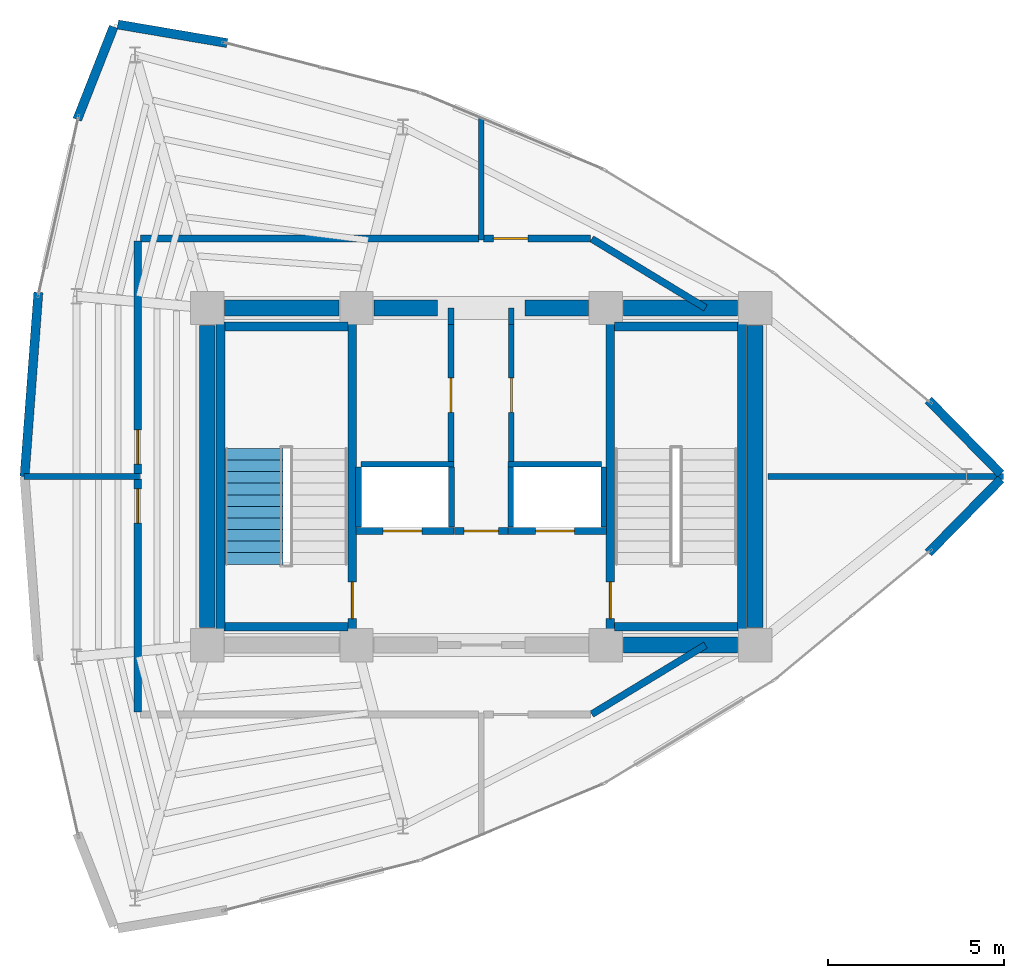
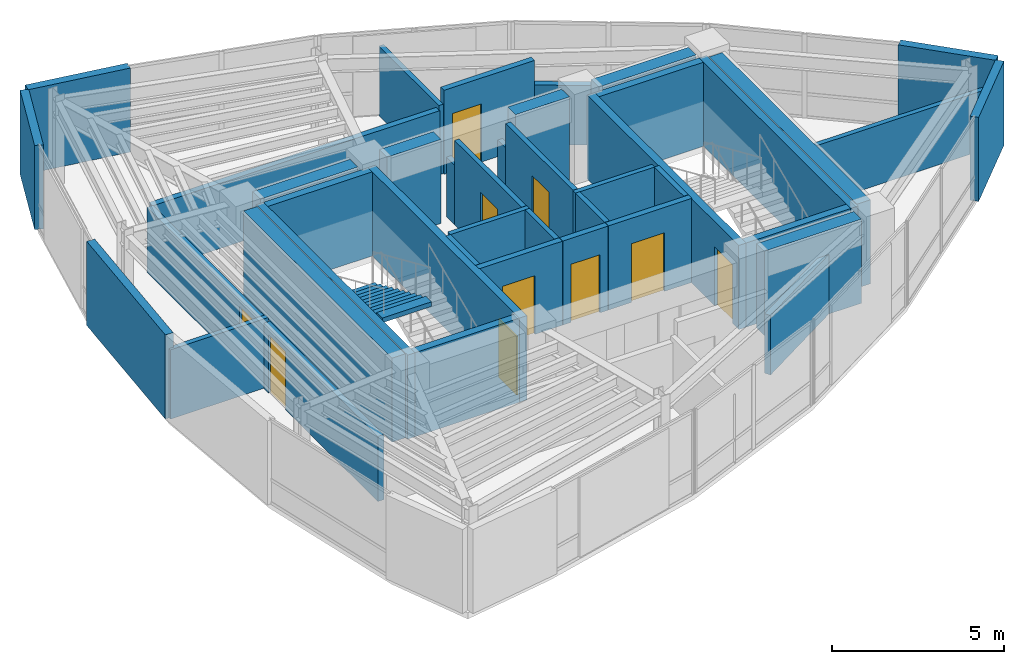
# One storey, part 12 of 14: 42 walls, 10 doors, 1 stair flight, 10 openings, 1 element without a shape of its own.
"""IFC4 building model written with IfcOpenShell, lengths in metres."""

import ifcopenshell
import ifcopenshell.guid

model = None  # the IFC model being written
_history = None  # IfcOwnerHistory: only IFC2X3 demands one
_inside = {}  # id of a spatial element -> (the spatial element, [elements in it])
_under = {}  # id of a project, library or spatial element -> (it, [spatial elements below it])
_declared = {}  # id of a project -> (the project, [libraries it declares])
_typed = {}  # id of a type object -> (the type object, [elements of that type])
_made_of = {}  # id of a material, layer set ... -> (it, [elements and type objects made of it])


def new_model(schema):
    """Start an empty IFC model of exactly this schema.

    Asked for "IFC4X3", IfcOpenShell would pick the latest addendum, in which some entities
    have other attributes; the version numbers below select the first issue.
    IFC2X3 requires an IfcOwnerHistory on every rooted entity: one is made here for all.
    """
    global model, _history
    if schema == "IFC4X3":
        model = ifcopenshell.file(schema_version=(4, 3, 0, 0))
    else:
        model = ifcopenshell.file(schema=schema)
    _inside.clear()
    _under.clear()
    _declared.clear()
    _typed.clear()
    _made_of.clear()
    _history = None
    if model.schema == "IFC2X3":
        org = make("IfcOrganization", Name="unknown")
        user = make(
            "IfcPersonAndOrganization",
            ThePerson=make("IfcPerson", FamilyName="unknown"),
            TheOrganization=org,
        )
        app = make(
            "IfcApplication",
            ApplicationDeveloper=org,
            Version="unknown",
            ApplicationFullName="unknown",
            ApplicationIdentifier="unknown",
        )
        _history = make(
            "IfcOwnerHistory",
            OwningUser=user,
            OwningApplication=app,
            ChangeAction="ADDED",
            CreationDate=0,
        )
    return model


def make(cls, **values):
    """One entity of the class cls with the attributes given. An attribute that is None is left unset."""
    return model.create_entity(
        cls, **{name: value for name, value in values.items() if value is not None}
    )


def rooted(cls, **values):
    """An entity with a GlobalId (a new one), such as an element, a storey or a relation."""
    return make(cls, GlobalId=ifcopenshell.guid.new(), OwnerHistory=_history, **values)


def si_unit(unit_type, name, prefix=None):
    """IfcSIUnit, for example si_unit("LENGTHUNIT", "METRE", prefix="MILLI")."""
    return make("IfcSIUnit", UnitType=unit_type, Prefix=prefix, Name=name)


def assignment(units):
    """IfcUnitAssignment: the units of a project."""
    return None if units is None else make("IfcUnitAssignment", Units=units)


def point(xyz):
    """IfcCartesianPoint."""
    return None if xyz is None else make("IfcCartesianPoint", Coordinates=xyz)


def direction(xyz):
    """IfcDirection."""
    return None if xyz is None else make("IfcDirection", DirectionRatios=xyz)


def frame(location, z_axis=None, x_axis=None):
    """IfcAxis2Placement3D, a coordinate frame: its origin and axes. An axis left out is left unset."""
    return make(
        "IfcAxis2Placement3D",
        Location=point(location),
        Axis=direction(z_axis),
        RefDirection=direction(x_axis),
    )


def frame_2d(location, x_axis=None):
    """IfcAxis2Placement2D, a coordinate frame in the plane: its origin and x axis."""
    return make(
        "IfcAxis2Placement2D", Location=point(location), RefDirection=direction(x_axis)
    )


def origin():
    """The frame at (0, 0, 0) with its axes left unset."""
    return frame((0.0, 0.0, 0.0))


def place(relative_to, where):
    """IfcLocalPlacement: puts the frame where relative to a parent placement (None: the world)."""
    return make(
        "IfcLocalPlacement", PlacementRelTo=relative_to, RelativePlacement=where
    )


def context(
    kind, dimensions, precision=None, world=None, true_north=None, identifier=None
):
    """IfcGeometricRepresentationContext, for example the 3D "Model" context."""
    return make(
        "IfcGeometricRepresentationContext",
        ContextIdentifier=identifier,
        ContextType=kind,
        CoordinateSpaceDimension=dimensions,
        Precision=precision,
        WorldCoordinateSystem=world,
        TrueNorth=true_north,
    )


def subcontext(parent, identifier, kind, view, scale=None):
    """IfcGeometricRepresentationSubContext, for example "Body" below "Model"."""
    return make(
        "IfcGeometricRepresentationSubContext",
        ContextIdentifier=identifier,
        ContextType=kind,
        ParentContext=parent,
        TargetScale=scale,
        TargetView=view,
    )


def project(units=None, contexts=None):
    """IfcProject with its units and contexts."""
    return rooted(
        "IfcProject",
        Name="project",
        RepresentationContexts=contexts,
        UnitsInContext=assignment(units),
    )


def spatial(cls, under=None, at=None, **own):
    """A site, building, storey or space (cls), placed at a placement, below another one or the project."""
    s = rooted(cls, ObjectPlacement=at, **own)
    if under is not None:
        _under.setdefault(under.id(), (under, []))[1].append(s)
    return s


def polyline(points):
    """IfcPolyline through the points."""
    return make("IfcPolyline", Points=[point(p) for p in points])


def profile(cls, at=None, kind="AREA", **sizes):
    """A parametric profile (cls). Its sizes go by their IFC names, for example OverallWidth=200.0."""
    return make(cls, ProfileType=kind, Position=at, **sizes)


def rectangle(**sizes):
    """IfcRectangleProfileDef."""
    return profile("IfcRectangleProfileDef", **sizes)


def outline(outer, holes=None, kind="AREA"):
    """IfcArbitraryClosedProfileDef: a profile drawn as a closed curve; with holes, ...WithVoids."""
    if holes is None:
        return make("IfcArbitraryClosedProfileDef", ProfileType=kind, OuterCurve=outer)
    return make(
        "IfcArbitraryProfileDefWithVoids",
        ProfileType=kind,
        OuterCurve=outer,
        InnerCurves=holes,
    )


def extrude(swept, where, along, depth):
    """IfcExtrudedAreaSolid: the profile swept, set in the frame where, extruded along a direction by depth."""
    return make(
        "IfcExtrudedAreaSolid",
        SweptArea=swept,
        Position=where,
        ExtrudedDirection=direction(along),
        Depth=depth,
    )


def shape(context_of_items, identifier, shape_type, items):
    """IfcShapeRepresentation: the items that make up one representation, for example the "Body"."""
    return make(
        "IfcShapeRepresentation",
        ContextOfItems=context_of_items,
        RepresentationIdentifier=identifier,
        RepresentationType=shape_type,
        Items=items,
    )


def material(Name=None, Category=None):
    """IfcMaterial."""
    return make("IfcMaterial", Name=Name, Category=Category)


def layer(
    of_material, thickness, ventilated=None, Name=None, Category=None, Priority=None
):
    """IfcMaterialLayer: one layer of a wall or slab, of a material (None: an air gap)."""
    return make(
        "IfcMaterialLayer",
        Material=of_material,
        LayerThickness=thickness,
        IsVentilated=ventilated,
        Name=Name,
        Category=Category,
        Priority=Priority,
    )


def layer_set(layers, Name=None):
    """IfcMaterialLayerSet."""
    return make("IfcMaterialLayerSet", MaterialLayers=layers, LayerSetName=Name)


def made_of(thing, what):
    """Note that an element or type object is made of a material, layer set ...; save() writes the relation."""
    if what is not None:
        _made_of.setdefault(what.id(), (what, []))[1].append(thing)
    return thing


def type_object(cls, material=None, **own):
    """A type object (cls), such as IfcWallType, which elements share."""
    return made_of(rooted(cls, **own), material)


def element(
    cls,
    number,
    at=None,
    inside=None,
    cuts=None,
    type_object=None,
    material=None,
    context=None,
    identifier="Body",
    shape_type=None,
    held_by="IfcProductDefinitionShape",
    body=None,
    shapes=None,
    **own,
):
    """One element of the class cls, such as IfcWall. Its Tag is "e" and its number.

    at: its placement. inside: the storey or other place that contains it. cuts: it is an
    opening in that element (IfcRelVoidsElement). A single representation is given by context,
    identifier, shape_type and body (its items); several are given by shapes. held_by: the class
    of the entity that holds the representations. save() writes the other relations.
    """
    e = rooted(cls, Tag="e%d" % number, ObjectPlacement=at, **own)
    if body is not None:
        shapes = [shape(context, identifier, shape_type, body)]
    if shapes is not None:
        e.Representation = make(held_by, Representations=shapes)
    if inside is not None:
        _inside.setdefault(inside.id(), (inside, []))[1].append(e)
    if cuts is not None:
        rooted(
            "IfcRelVoidsElement", RelatingBuildingElement=cuts, RelatedOpeningElement=e
        )
    if type_object is not None:
        _typed.setdefault(type_object.id(), (type_object, []))[1].append(e)
    return made_of(e, material)


def fill(opening, filler):
    """IfcRelFillsElement: the door or window that sits in an opening."""
    return rooted(
        "IfcRelFillsElement",
        RelatingOpeningElement=opening,
        RelatedBuildingElement=filler,
    )


def aggregate(whole, parts):
    """IfcRelAggregates: a whole, such as a stair, and the parts it consists of."""
    return rooted("IfcRelAggregates", RelatingObject=whole, RelatedObjects=parts)


def save(model, path):
    """Write the relations noted so far, then the file.

    IfcRelAggregates (storeys below a building ...), IfcRelContainedInSpatialStructure (elements
    in a storey), IfcRelDefinesByType, IfcRelAssociatesMaterial and IfcRelDeclares: one each for
    every whole, place, type object, material and project.
    """
    for whole, parts in _under.values():
        aggregate(whole, parts)
    for where, things in _inside.values():
        rooted(
            "IfcRelContainedInSpatialStructure",
            RelatedElements=things,
            RelatingStructure=where,
        )
    for kind, things in _typed.values():
        rooted("IfcRelDefinesByType", RelatedObjects=things, RelatingType=kind)
    for what, things in _made_of.values():
        rooted("IfcRelAssociatesMaterial", RelatedObjects=things, RelatingMaterial=what)
    for by, libraries in _declared.values():
        rooted("IfcRelDeclares", RelatingContext=by, RelatedDefinitions=libraries)
    model.write(path)


model = new_model("IFC4")

# Units and contexts
model_context = context("Model", 3, precision=1e-05, world=origin(), true_north=direction((0.0, 1.0)))
body_context = subcontext(model_context, "Body", "Model", "MODEL_VIEW")
ifc_project = project(units=[si_unit("LENGTHUNIT", "METRE"), si_unit("AREAUNIT", "SQUARE_METRE"), si_unit("VOLUMEUNIT", "CUBIC_METRE"), si_unit("PLANEANGLEUNIT", "RADIAN"), si_unit("MASSUNIT", "GRAM", prefix="KILO")], contexts=[model_context])

# Site, building, storey
site_placement = place(None, origin())
site = spatial("IfcSite", under=ifc_project, at=site_placement, CompositionType="ELEMENT")
building_placement = place(site_placement, origin())
building = spatial("IfcBuilding", under=site, at=building_placement, Name="Menara Vayukalpa", CompositionType="ELEMENT")
storey_placement = place(building_placement, frame((0.0, 0.0, 302.419921875)))
storey = spatial("IfcBuildingStorey", under=building, at=storey_placement, Name="L77", CompositionType="ELEMENT", Elevation=302.419921875)

# Walls
ifc_material_1 = material(Name="Concrete C50/60", Category="concrete")
ifc_layer_1 = layer(ifc_material_1, 0.449951171875)
ifc_layer_set_1 = layer_set([ifc_layer_1], Name="Concrete C50/60")
wall_type_1 = type_object("IfcWallType", Name="WAL-CW450", PredefinedType="SHEAR", material=ifc_layer_set_1)
for number, where, z_axis, x_axis, name in (
    (1, (29.64501953125, 17.199951171875, 0.0), (0.0, 0.0, 1.0), (1.0, 0.0, 0.0), "L77 Buttressed Core Shear Wall CWS4"),
    (2, (18.294921875, 26.800048828125, 0.0), (0.0, 0.0, 1.0), (1.0, 0.0, 0.0), "L77 Buttressed Core Shear Wall CWN1"),
):
    element("IfcWall", number, at=place(storey_placement, frame(where, z_axis=z_axis, x_axis=x_axis)), inside=storey, type_object=wall_type_1, Name=name, PredefinedType="SHEAR", context=body_context, shape_type="SweptSolid", body=[
        extrude(rectangle(XDim=3.260009765625, YDim=0.449951171875, at=frame_2d((1.6298828125, 0.0))), origin(), (0.0, 0.0, 1.0), 2.97998046875),
    ])
wall_1_placement = place(storey_placement, frame((22.544921875, 26.800048828125, 0.0), z_axis=(0.0, 0.0, 1.0), x_axis=(1.0, 0.0, 0.0)))
element("IfcWall", 3, at=wall_1_placement, inside=storey, type_object=wall_type_1, Name="L77 Buttressed Core Shear Wall CWN2", PredefinedType="SHEAR", context=body_context, shape_type="SweptSolid", body=[
    extrude(rectangle(XDim=1.80517578125, YDim=0.449951171875, at=frame_2d((0.902587890625, 0.0))), origin(), (0.0, 0.0, 1.0), 2.97998046875),
])
wall_2_placement = place(storey_placement, frame((26.85009765625, 26.800048828125, 0.0), z_axis=(0.0, 0.0, 1.0), x_axis=(1.0, 0.0, 0.0)))
element("IfcWall", 4, at=wall_2_placement, inside=storey, type_object=wall_type_1, Name="L77 Buttressed Core Shear Wall CWN3", PredefinedType="SHEAR", context=body_context, shape_type="SweptSolid", body=[
    extrude(rectangle(XDim=1.804931640625, YDim=0.449951171875, at=frame_2d((0.90234375, 0.0))), origin(), (0.0, 0.0, 1.0), 2.97998046875),
])
wall_3_placement = place(storey_placement, frame((29.64501953125, 26.800048828125, 0.0), z_axis=(0.0, 0.0, 1.0), x_axis=(1.0, 0.0, 0.0)))
element("IfcWall", 5, at=wall_3_placement, inside=storey, type_object=wall_type_1, Name="L77 Buttressed Core Shear Wall CWN4", PredefinedType="SHEAR", context=body_context, shape_type="SweptSolid", body=[
    extrude(rectangle(XDim=3.260009765625, YDim=0.449951171875, at=frame_2d((1.6298828125, 0.0))), origin(), (0.0, 0.0, 1.0), 2.97998046875),
])
for number, where, z_axis, x_axis, name in (
    (6, (17.800048828125, 17.695068359375, 0.0), (0.0, 0.0, 1.0), (0.0, 1.0, 0.0), "L77 Buttressed Core Shear Wall CWW1"),
    (7, (33.39990234375, 17.695068359375, 0.0), (0.0, 0.0, 1.0), (0.0, 1.0, 0.0), "L77 Buttressed Core Shear Wall CWE1"),
):
    element("IfcWall", number, at=place(storey_placement, frame(where, z_axis=z_axis, x_axis=x_axis)), inside=storey, type_object=wall_type_1, Name=name, PredefinedType="SHEAR", context=body_context, shape_type="SweptSolid", body=[
        extrude(rectangle(XDim=8.60986328125, YDim=0.449951171875, at=frame_2d((4.304931640625, 0.0))), origin(), (0.0, 0.0, 1.0), 2.97998046875),
    ])
ifc_material_2 = material(Name="Insulated Precast Concrete C40/50", Category="concrete")
ifc_layer_2 = layer(ifc_material_2, 0.260009765625)
ifc_layer_set_2 = layer_set([ifc_layer_2], Name="Insulated Precast Concrete C40/50")
wall_type_2 = type_object("IfcWallType", Name="WAL-EXT260", PredefinedType="PARTITIONING", material=ifc_layer_set_2)
for number, where, z_axis, x_axis, name in (
    (8, (40.394287109375, 21.923828125, 0.0), (0.0, 0.0, 1.0), (-0.700603142499, -0.713551145133, 0.0), "L77 Perimeter Terracotta Pier Wall 01"),
    (9, (38.33349609375, 24.175048828125, 0.0), (0.0, 0.0, 1.0), (0.700603142499, -0.713551145133, 0.0), "L77 Perimeter Terracotta Pier Wall 02"),
):
    element("IfcWall", number, at=place(storey_placement, frame(where, z_axis=z_axis, x_axis=x_axis)), inside=storey, type_object=wall_type_2, Name=name, PredefinedType="PARTITIONING", context=body_context, shape_type="SweptSolid", body=[
        extrude(rectangle(XDim=2.94140625, YDim=0.260009765625, at=frame_2d((1.470703125, 0.0))), origin(), (0.0, 0.0, 1.0), 2.97998046875),
    ])
wall_4_placement = place(storey_placement, frame((15.251708984375, 34.87158203125, 0.0), z_axis=(0.0, 0.0, 1.0), x_axis=(0.985905089134, -0.167305574383, 0.0)))
element("IfcWall", 10, at=wall_4_placement, inside=storey, type_object=wall_type_2, Name="L77 Perimeter Terracotta Pier Wall 07", PredefinedType="PARTITIONING", context=body_context, shape_type="SweptSolid", body=[
    extrude(rectangle(XDim=3.1591796875, YDim=0.260009765625, at=frame_2d((1.57958984375, 0.0))), origin(), (0.0, 0.0, 1.0), 2.97998046875),
])
wall_5_placement = place(storey_placement, frame((14.09619140625, 32.1630859375, 0.0), z_axis=(0.0, 0.0, 1.0), x_axis=(0.365495346637, 0.930813166853, 0.0)))
element("IfcWall", 11, at=wall_5_placement, inside=storey, type_object=wall_type_2, Name="L77 Perimeter Terracotta Pier Wall 08", PredefinedType="PARTITIONING", context=body_context, shape_type="SweptSolid", body=[
    extrude(rectangle(XDim=2.838134765625, YDim=0.260009765625, at=frame_2d((1.4189453125, 0.0))), origin(), (0.0, 0.0, 1.0), 2.97998046875),
])
wall_6_placement = place(storey_placement, frame((12.596435546875, 22.0, 0.0), z_axis=(0.0, 0.0, 1.0), x_axis=(0.074768012725, 0.99720095481, 0.0)))
element("IfcWall", 12, at=wall_6_placement, inside=storey, type_object=wall_type_2, Name="L77 Perimeter Terracotta Pier Wall 10", PredefinedType="PARTITIONING", context=body_context, shape_type="SweptSolid", body=[
    extrude(rectangle(XDim=5.257080078125, YDim=0.260009765625, at=frame_2d((2.62841796875, 0.0))), origin(), (0.0, 0.0, 1.0), 2.97998046875),
])
ifc_material_3 = material(Name="Lightweight Concrete Blockwork C16/20", Category="masonry")
ifc_layer_3 = layer(ifc_material_3, 0.159912109375)
ifc_layer_set_3 = layer_set([ifc_layer_3], Name="Lightweight Concrete Blockwork C16/20")
wall_type_3 = type_object("IfcWallType", Name="WAL-FR150", PredefinedType="PARTITIONING", material=ifc_layer_set_3)
for number, where, z_axis, x_axis, name in (
    (13, (22.10498046875, 20.56005859375, 0.0), (0.0, 0.0, 1.0), (0.0, 1.0, 0.0), "L77 Interior Partition IW-L77-SHW-WW"),
    (14, (24.7548828125, 20.56005859375, 0.0), (0.0, 0.0, 1.0), (0.0, 1.0, 0.0), "L77 Interior Partition IW-L77-SHW-W1E"),
):
    element("IfcWall", number, at=place(storey_placement, frame(where, z_axis=z_axis, x_axis=x_axis)), inside=storey, type_object=wall_type_3, Name=name, PredefinedType="PARTITIONING", context=body_context, shape_type="SweptSolid", body=[
        extrude(rectangle(XDim=1.7099609375, YDim=0.159912109375, at=frame_2d((0.85498046875, 0.0))), origin(), (0.0, 0.0, 1.0), 2.97998046875),
    ])
wall_7_placement = place(storey_placement, frame((22.179931640625, 22.344970703125, 0.0), z_axis=(0.0, 0.0, 1.0), x_axis=(1.0, 0.0, 0.0)))
element("IfcWall", 15, at=wall_7_placement, inside=storey, type_object=wall_type_3, Name="L77 Interior Partition IW-L77-SHM-W12", PredefinedType="PARTITIONING", context=body_context, shape_type="SweptSolid", body=[
    extrude(rectangle(XDim=2.650146484375, YDim=0.159912109375, at=frame_2d((1.3251953125, 0.0))), origin(), (0.0, 0.0, 1.0), 2.97998046875),
])
for number, where, z_axis, x_axis, name in (
    (16, (29.094970703125, 20.56005859375, 0.0), (0.0, 0.0, 1.0), (0.0, 1.0, 0.0), "L77 Interior Partition IW-L77-SHW-EE"),
    (17, (26.445068359375, 20.56005859375, 0.0), (0.0, 0.0, 1.0), (0.0, 1.0, 0.0), "L77 Interior Partition IW-L77-SHW-E1W"),
):
    element("IfcWall", number, at=place(storey_placement, frame(where, z_axis=z_axis, x_axis=x_axis)), inside=storey, type_object=wall_type_3, Name=name, PredefinedType="PARTITIONING", context=body_context, shape_type="SweptSolid", body=[
        extrude(rectangle(XDim=1.7099609375, YDim=0.159912109375, at=frame_2d((0.85498046875, 0.0))), origin(), (0.0, 0.0, 1.0), 2.97998046875),
    ])
wall_8_placement = place(storey_placement, frame((26.3701171875, 22.344970703125, 0.0), z_axis=(0.0, 0.0, 1.0), x_axis=(1.0, 0.0, 0.0)))
element("IfcWall", 18, at=wall_8_placement, inside=storey, type_object=wall_type_3, Name="L77 Interior Partition IW-L77-SHM-E13", PredefinedType="PARTITIONING", context=body_context, shape_type="SweptSolid", body=[
    extrude(rectangle(XDim=2.64990234375, YDim=0.159912109375, at=frame_2d((1.324951171875, 0.0))), origin(), (0.0, 0.0, 1.0), 2.97998046875),
])
wall_9_placement = place(storey_placement, frame((24.739990234375, 26.3349609375, 0.0), z_axis=(0.0, 0.0, 1.0), x_axis=(0.0, 1.0, 0.0)))
element("IfcWall", 19, at=wall_9_placement, inside=storey, type_object=wall_type_3, Name="L77 Interior Partition IW-L77-CPL1 Beam Collar 1", PredefinedType="PARTITIONING", context=body_context, shape_type="SweptSolid", body=[
    extrude(rectangle(XDim=0.465087890625, YDim=0.159912109375, at=frame_2d((0.232421875, 0.0))), origin(), (0.0, 0.0, 1.0), 2.110107421875),
])

# Wall, opening, door
wall_10_placement = place(storey_placement, frame((24.739990234375, 22.429931640625, 0.0), z_axis=(0.0, 0.0, 1.0), x_axis=(0.0, 1.0, 0.0)))
wall_10 = element("IfcWall", 20, at=wall_10_placement, inside=storey, type_object=wall_type_3, Name="L77 Interior Partition IW-L77-CPL1", PredefinedType="PARTITIONING", context=body_context, shape_type="SweptSolid", body=[
    extrude(rectangle(XDim=3.905029296875, YDim=0.159912109375, at=frame_2d((1.95263671875, 0.0))), origin(), (0.0, 0.0, 1.0), 2.97998046875),
])
opening_1_placement = place(wall_10_placement, frame((1.39990234375, 0.0, 0.0)))
opening_1 = element("IfcOpeningElement", 21, at=opening_1_placement, cuts=wall_10, Name="Opening ID3", PredefinedType="OPENING", context=body_context, shape_type="SweptSolid", body=[
    extrude(rectangle(XDim=0.97998046875, YDim=2.06005859375, at=frame_2d((0.489990234375, 1.030029296875))), frame((0.0, 0.08984375, 0.0), z_axis=(0.0, -1.0, 0.0), x_axis=(1.0, 0.0, 0.0)), (0.0, 0.0, 1.0), 0.179931640625),
])
ifc_material_4 = material(Name="Fire-Rated Powder-Coated Steel Door", Category="steel")
door_type_1 = type_object("IfcDoorType", Name="DR-FD60", OperationType="NOTDEFINED", PredefinedType="DOOR", material=ifc_material_4)
door_1_placement = place(opening_1_placement, origin())
door_1 = element("IfcDoor", 22, at=door_1_placement, inside=storey, type_object=door_type_1, Name="L77 Interior Door DR-L77-CPL1", OperationType="SINGLE_SWING_LEFT", OverallHeight=2.06005859375, OverallWidth=0.97998046875, PredefinedType="DOOR", context=body_context, shape_type="SweptSolid", body=[
    extrude(rectangle(XDim=0.97998046875, YDim=2.06005859375, at=frame_2d((0.489990234375, 1.030029296875))), frame((0.0, 0.02490234375, 0.0), z_axis=(0.0, -1.0, 0.0), x_axis=(1.0, 0.0, 0.0)), (0.0, 0.0, 1.0), 0.050048828125),
])
fill(opening_1, door_1)

# Wall
wall_11_placement = place(storey_placement, frame((26.4599609375, 26.3349609375, 0.0), z_axis=(0.0, 0.0, 1.0), x_axis=(0.0, 1.0, 0.0)))
element("IfcWall", 23, at=wall_11_placement, inside=storey, type_object=wall_type_3, Name="L77 Interior Partition IW-L77-CPL2 Beam Collar 1", PredefinedType="PARTITIONING", context=body_context, shape_type="SweptSolid", body=[
    extrude(rectangle(XDim=0.465087890625, YDim=0.159912109375, at=frame_2d((0.232421875, 0.0))), origin(), (0.0, 0.0, 1.0), 2.110107421875),
])

# Wall, opening, door
wall_12_placement = place(storey_placement, frame((26.4599609375, 22.429931640625, 0.0), z_axis=(0.0, 0.0, 1.0), x_axis=(0.0, 1.0, 0.0)))
wall_12 = element("IfcWall", 24, at=wall_12_placement, inside=storey, type_object=wall_type_3, Name="L77 Interior Partition IW-L77-CPL2", PredefinedType="PARTITIONING", context=body_context, shape_type="SweptSolid", body=[
    extrude(rectangle(XDim=3.905029296875, YDim=0.159912109375, at=frame_2d((1.95263671875, 0.0))), origin(), (0.0, 0.0, 1.0), 2.97998046875),
])
opening_2_placement = place(wall_12_placement, frame((1.39990234375, 0.0, 0.0)))
opening_2 = element("IfcOpeningElement", 25, at=opening_2_placement, cuts=wall_12, Name="Opening ID3", PredefinedType="OPENING", context=body_context, shape_type="SweptSolid", body=[
    extrude(rectangle(XDim=0.97998046875, YDim=2.06005859375, at=frame_2d((0.489990234375, 1.030029296875))), frame((0.0, 0.08984375, 0.0), z_axis=(0.0, -1.0, 0.0), x_axis=(1.0, 0.0, 0.0)), (0.0, 0.0, 1.0), 0.179931640625),
])
door_2_placement = place(opening_2_placement, origin())
door_2 = element("IfcDoor", 26, at=door_2_placement, inside=storey, type_object=door_type_1, Name="L77 Interior Door DR-L77-CPL2", OperationType="SINGLE_SWING_RIGHT", OverallHeight=2.06005859375, OverallWidth=0.97998046875, PredefinedType="DOOR", context=body_context, shape_type="SweptSolid", body=[
    extrude(rectangle(XDim=0.97998046875, YDim=2.06005859375, at=frame_2d((0.489990234375, 1.030029296875))), frame((0.0, 0.02490234375, 0.0), z_axis=(0.0, -1.0, 0.0), x_axis=(1.0, 0.0, 0.0)), (0.0, 0.0, 1.0), 0.050048828125),
])
fill(opening_2, door_2)

# Walls
wall_13_placement = place(storey_placement, frame((25.60009765625, 28.72998046875, 0.0), z_axis=(0.0, 0.0, 1.0), x_axis=(0.0, 1.0, 0.0)))
element("IfcWall", 27, at=wall_13_placement, inside=storey, type_object=wall_type_3, Name="L77 Interior Partition IW-L77-RDIV02", PredefinedType="PARTITIONING", context=body_context, shape_type="SweptSolid", body=[
    extrude(rectangle(XDim=3.48681640625, YDim=0.159912109375, at=frame_2d((1.743408203125, 0.0))), origin(), (0.0, 0.0, 1.0), 2.4599609375),
])
wall_14_placement = place(storey_placement, frame((12.58642578125, 22.0, 0.0), z_axis=(0.0, 0.0, 1.0), x_axis=(1.0, 0.0, 0.0)))
element("IfcWall", 28, at=wall_14_placement, inside=storey, type_object=wall_type_3, Name="L77 Interior Partition IW-L77-RDIV03", PredefinedType="PARTITIONING", context=body_context, shape_type="SweptSolid", body=[
    extrude(rectangle(XDim=3.28369140625, YDim=0.159912109375, at=frame_2d((1.641845703125, 0.0))), origin(), (0.0, 0.0, 1.0), 2.4599609375),
])
wall_15_placement = place(storey_placement, frame((33.77001953125, 22.0, 0.0), z_axis=(0.0, 0.0, 1.0), x_axis=(1.0, 0.0, 0.0)))
element("IfcWall", 29, at=wall_15_placement, inside=storey, type_object=wall_type_3, Name="L77 Interior Partition IW-L77-RDIV04", PredefinedType="PARTITIONING", context=body_context, shape_type="SweptSolid", body=[
    extrude(rectangle(XDim=6.708984375, YDim=0.159912109375, at=frame_2d((3.3544921875, 0.0))), origin(), (0.0, 0.0, 1.0), 2.110107421875),
])

# Wall, opening, door
ifc_material_5 = material(Name="Lightweight Concrete Blockwork C16/20", Category="masonry")
ifc_layer_4 = layer(ifc_material_5, 0.199951171875)
ifc_layer_set_4 = layer_set([ifc_layer_4], Name="Lightweight Concrete Blockwork C16/20")
wall_type_4 = type_object("IfcWallType", Name="WAL-FR200", PredefinedType="PARTITIONING", material=ifc_layer_set_4)
wall_16_placement = place(storey_placement, frame((24.840087890625, 20.449951171875, 0.0), z_axis=(0.0, 0.0, 1.0), x_axis=(1.0, 0.0, 0.0)))
wall_16 = element("IfcWall", 30, at=wall_16_placement, inside=storey, type_object=wall_type_4, Name="L77 Interior Partition IW-L77-FFLN", PredefinedType="PARTITIONING", context=body_context, shape_type="SweptSolid", body=[
    extrude(rectangle(XDim=1.52001953125, YDim=0.199951171875, at=frame_2d((0.760009765625, 0.0))), origin(), (0.0, 0.0, 1.0), 2.97998046875),
])
opening_3_placement = place(wall_16_placement, frame((0.27001953125, 0.0, 0.0)))
opening_3 = element("IfcOpeningElement", 31, at=opening_3_placement, cuts=wall_16, Name="Opening ID3", PredefinedType="OPENING", context=body_context, shape_type="SweptSolid", body=[
    extrude(rectangle(XDim=0.97998046875, YDim=2.06005859375, at=frame_2d((0.489990234375, 1.030029296875))), frame((0.0, 0.10986328125, 0.0), z_axis=(0.0, -1.0, 0.0), x_axis=(1.0, 0.0, 0.0)), (0.0, 0.0, 1.0), 0.219970703125),
])
door_3_placement = place(opening_3_placement, origin())
door_3 = element("IfcDoor", 32, at=door_3_placement, inside=storey, type_object=door_type_1, Name="L77 Interior Door DR-L77-FFLN", OperationType="SINGLE_SWING_RIGHT", OverallHeight=2.06005859375, OverallWidth=0.97998046875, PredefinedType="DOOR", context=body_context, shape_type="SweptSolid", body=[
    extrude(rectangle(XDim=0.97998046875, YDim=2.06005859375, at=frame_2d((0.489990234375, 1.030029296875))), frame((0.0, 0.02490234375, 0.0), z_axis=(0.0, -1.0, 0.0), x_axis=(1.0, 0.0, 0.0)), (0.0, 0.0, 1.0), 0.050048828125),
])
fill(opening_3, door_3)

wall_17_placement = place(storey_placement, frame((22.030029296875, 20.449951171875, 0.0), z_axis=(0.0, 0.0, 1.0), x_axis=(1.0, 0.0, 0.0)))
wall_17 = element("IfcWall", 33, at=wall_17_placement, inside=storey, type_object=wall_type_4, Name="L77 Interior Partition IW-L77-SH-W1", PredefinedType="PARTITIONING", context=body_context, shape_type="SweptSolid", body=[
    extrude(rectangle(XDim=2.800048828125, YDim=0.199951171875, at=frame_2d((1.39990234375, 0.0))), origin(), (0.0, 0.0, 1.0), 2.97998046875),
])
opening_4_placement = place(wall_17_placement, frame((0.780029296875, 0.0, 0.0)))
opening_4 = element("IfcOpeningElement", 34, at=opening_4_placement, cuts=wall_17, Name="Opening LD1", PredefinedType="OPENING", context=body_context, shape_type="SweptSolid", body=[
    extrude(rectangle(XDim=1.10009765625, YDim=2.080078125, at=frame_2d((0.550048828125, 1.0400390625))), frame((0.0, 0.10986328125, 0.0), z_axis=(0.0, -1.0, 0.0), x_axis=(1.0, 0.0, 0.0)), (0.0, 0.0, 1.0), 0.219970703125),
])
ifc_material_6 = material(Name="Brushed Stainless Steel 316 Lift Door", Category="steel")
door_type_2 = type_object("IfcDoorType", Name="DR-LD110", OperationType="NOTDEFINED", PredefinedType="DOOR", material=ifc_material_6)
door_4_placement = place(opening_4_placement, origin())
door_4 = element("IfcDoor", 35, at=door_4_placement, inside=storey, type_object=door_type_2, Name="L77 Interior Door DR-L77-LD-W1", OperationType="DOUBLE_DOOR_SLIDING", OverallHeight=2.080078125, OverallWidth=1.10009765625, PredefinedType="DOOR", context=body_context, shape_type="SweptSolid", body=[
    extrude(rectangle(XDim=1.10009765625, YDim=2.080078125, at=frame_2d((0.550048828125, 1.0400390625))), frame((0.0, 0.02490234375, 0.0), z_axis=(0.0, -1.0, 0.0), x_axis=(1.0, 0.0, 0.0)), (0.0, 0.0, 1.0), 0.050048828125),
])
fill(opening_4, door_4)

wall_18_placement = place(storey_placement, frame((26.3701171875, 20.449951171875, 0.0), z_axis=(0.0, 0.0, 1.0), x_axis=(1.0, 0.0, 0.0)))
wall_18 = element("IfcWall", 36, at=wall_18_placement, inside=storey, type_object=wall_type_4, Name="L77 Interior Partition IW-L77-SH-E1", PredefinedType="PARTITIONING", context=body_context, shape_type="SweptSolid", body=[
    extrude(rectangle(XDim=2.7998046875, YDim=0.199951171875, at=frame_2d((1.39990234375, 0.0))), origin(), (0.0, 0.0, 1.0), 2.97998046875),
])
opening_5_placement = place(wall_18_placement, frame((0.780029296875, 0.0, 0.0)))
opening_5 = element("IfcOpeningElement", 37, at=opening_5_placement, cuts=wall_18, Name="Opening LD1", PredefinedType="OPENING", context=body_context, shape_type="SweptSolid", body=[
    extrude(rectangle(XDim=1.10009765625, YDim=2.080078125, at=frame_2d((0.550048828125, 1.0400390625))), frame((0.0, 0.10986328125, 0.0), z_axis=(0.0, -1.0, 0.0), x_axis=(1.0, 0.0, 0.0)), (0.0, 0.0, 1.0), 0.219970703125),
])
door_5_placement = place(opening_5_placement, origin())
door_5 = element("IfcDoor", 38, at=door_5_placement, inside=storey, type_object=door_type_2, Name="L77 Interior Door DR-L77-LD-E1", OperationType="DOUBLE_DOOR_SLIDING", OverallHeight=2.080078125, OverallWidth=1.10009765625, PredefinedType="DOOR", context=body_context, shape_type="SweptSolid", body=[
    extrude(rectangle(XDim=1.10009765625, YDim=2.080078125, at=frame_2d((0.550048828125, 1.0400390625))), frame((0.0, 0.02490234375, 0.0), z_axis=(0.0, -1.0, 0.0), x_axis=(1.0, 0.0, 0.0)), (0.0, 0.0, 1.0), 0.050048828125),
])
fill(opening_5, door_5)

wall_19_placement = place(storey_placement, frame((15.820068359375, 21.929931640625, 0.0), z_axis=(0.0, 0.0, 1.0), x_axis=(0.0, -1.0, 0.0)))
wall_19 = element("IfcWall", 39, at=wall_19_placement, inside=storey, type_object=wall_type_4, Name="L77 Interior Partition IW-L77-CRM01-1", PredefinedType="PARTITIONING", context=body_context, shape_type="SweptSolid", body=[
    extrude(rectangle(XDim=6.6298828125, YDim=0.199951171875, at=frame_2d((3.31494140625, 0.0))), origin(), (0.0, 0.0, 1.0), 2.31005859375),
])
opening_6_placement = place(wall_19_placement, frame((0.280029296875, 0.0, 0.0)))
opening_6 = element("IfcOpeningElement", 40, at=opening_6_placement, cuts=wall_19, Name="Opening ID3", PredefinedType="OPENING", context=body_context, shape_type="SweptSolid", body=[
    extrude(rectangle(XDim=0.97998046875, YDim=2.06005859375, at=frame_2d((0.489990234375, 1.030029296875))), frame((0.0, 0.10986328125, 0.0), z_axis=(0.0, -1.0, 0.0), x_axis=(1.0, 0.0, 0.0)), (0.0, 0.0, 1.0), 0.219970703125),
])
door_6_placement = place(opening_6_placement, origin())
door_6 = element("IfcDoor", 41, at=door_6_placement, inside=storey, type_object=door_type_1, Name="L77 Interior Door DR-L77-RM01", OperationType="SINGLE_SWING_LEFT", OverallHeight=2.06005859375, OverallWidth=0.97998046875, PredefinedType="DOOR", context=body_context, shape_type="SweptSolid", body=[
    extrude(rectangle(XDim=0.97998046875, YDim=2.06005859375, at=frame_2d((0.489990234375, 1.030029296875))), frame((0.0, 0.02490234375, 0.0), z_axis=(0.0, -1.0, 0.0), x_axis=(1.0, 0.0, 0.0)), (0.0, 0.0, 1.0), 0.050048828125),
])
fill(opening_6, door_6)

# Walls
for number, where, z_axis, x_axis, name in (
    (42, (28.747314453125, 15.231689453125, 0.0), (0.0, 0.0, 1.0), (0.854690580489, 0.519137757847, 0.0), "L77 Interior Partition IW-L77-CRM02-2"),
    (43, (31.98779296875, 26.800048828125, 0.0), (0.0, 0.0, 1.0), (-0.854690580489, 0.519137757847, 0.0), "L77 Interior Partition IW-L77-CRM03-1"),
):
    element("IfcWall", number, at=place(storey_placement, frame(where, z_axis=z_axis, x_axis=x_axis)), inside=storey, type_object=wall_type_4, Name=name, PredefinedType="PARTITIONING", context=body_context, shape_type="SweptSolid", body=[
        extrude(rectangle(XDim=3.79150390625, YDim=0.199951171875, at=frame_2d((1.895751953125, 0.0))), origin(), (0.0, 0.0, 1.0), 2.110107421875),
    ])

# Wall, opening, door
wall_20_placement = place(storey_placement, frame((28.705810546875, 28.780029296875, 0.0), z_axis=(0.0, 0.0, 1.0), x_axis=(-1.0, 0.0, 0.0)))
wall_20 = element("IfcWall", 44, at=wall_20_placement, inside=storey, type_object=wall_type_4, Name="L77 Interior Partition IW-L77-CRM03-2", PredefinedType="PARTITIONING", context=body_context, shape_type="SweptSolid", body=[
    extrude(rectangle(XDim=3.035888671875, YDim=0.199951171875, at=frame_2d((1.51806640625, 0.0))), origin(), (0.0, 0.0, 1.0), 2.97998046875),
])
opening_7_placement = place(wall_20_placement, frame((1.77587890625, 0.0, 0.0)))
opening_7 = element("IfcOpeningElement", 45, at=opening_7_placement, cuts=wall_20, Name="Opening ID3", PredefinedType="OPENING", context=body_context, shape_type="SweptSolid", body=[
    extrude(rectangle(XDim=0.97998046875, YDim=2.06005859375, at=frame_2d((0.489990234375, 1.030029296875))), frame((0.0, 0.10986328125, 0.0), z_axis=(0.0, -1.0, 0.0), x_axis=(1.0, 0.0, 0.0)), (0.0, 0.0, 1.0), 0.219970703125),
])
door_7_placement = place(opening_7_placement, origin())
door_7 = element("IfcDoor", 46, at=door_7_placement, inside=storey, type_object=door_type_1, Name="L77 Interior Door DR-L77-RM03", OperationType="SINGLE_SWING_LEFT", OverallHeight=2.06005859375, OverallWidth=0.97998046875, PredefinedType="DOOR", context=body_context, shape_type="SweptSolid", body=[
    extrude(rectangle(XDim=0.97998046875, YDim=2.06005859375, at=frame_2d((0.489990234375, 1.030029296875))), frame((0.0, 0.02490234375, 0.0), z_axis=(0.0, -1.0, 0.0), x_axis=(1.0, 0.0, 0.0)), (0.0, 0.0, 1.0), 0.050048828125),
])
fill(opening_7, door_7)

# Wall
wall_21_placement = place(storey_placement, frame((25.530029296875, 28.780029296875, 0.0), z_axis=(0.0, 0.0, 1.0), x_axis=(-1.0, 0.0, 0.0)))
element("IfcWall", 47, at=wall_21_placement, inside=storey, type_object=wall_type_4, Name="L77 Interior Partition IW-L77-CRM04-1", PredefinedType="PARTITIONING", context=body_context, shape_type="SweptSolid", body=[
    extrude(rectangle(XDim=9.630126953125, YDim=0.199951171875, at=frame_2d((4.81494140625, 0.0))), origin(), (0.0, 0.0, 1.0), 2.31005859375),
])

# Wall, opening, door
wall_22_placement = place(storey_placement, frame((15.820068359375, 28.699951171875, 0.0), z_axis=(0.0, 0.0, 1.0), x_axis=(0.0, -1.0, 0.0)))
wall_22 = element("IfcWall", 48, at=wall_22_placement, inside=storey, type_object=wall_type_4, Name="L77 Interior Partition IW-L77-CRM04-2", PredefinedType="PARTITIONING", context=body_context, shape_type="SweptSolid", body=[
    extrude(rectangle(XDim=6.6298828125, YDim=0.199951171875, at=frame_2d((3.31494140625, 0.0))), origin(), (0.0, 0.0, 1.0), 2.31005859375),
])
opening_8_placement = place(wall_22_placement, frame((5.3701171875, 0.0, 0.0)))
opening_8 = element("IfcOpeningElement", 49, at=opening_8_placement, cuts=wall_22, Name="Opening ID3", PredefinedType="OPENING", context=body_context, shape_type="SweptSolid", body=[
    extrude(rectangle(XDim=0.97998046875, YDim=2.06005859375, at=frame_2d((0.489990234375, 1.030029296875))), frame((0.0, 0.10986328125, 0.0), z_axis=(0.0, -1.0, 0.0), x_axis=(1.0, 0.0, 0.0)), (0.0, 0.0, 1.0), 0.219970703125),
])
door_8_placement = place(opening_8_placement, origin())
door_8 = element("IfcDoor", 50, at=door_8_placement, inside=storey, type_object=door_type_1, Name="L77 Interior Door DR-L77-RM04", OperationType="SINGLE_SWING_RIGHT", OverallHeight=2.06005859375, OverallWidth=0.97998046875, PredefinedType="DOOR", context=body_context, shape_type="SweptSolid", body=[
    extrude(rectangle(XDim=0.97998046875, YDim=2.06005859375, at=frame_2d((0.489990234375, 1.030029296875))), frame((0.0, 0.02490234375, 0.0), z_axis=(0.0, -1.0, 0.0), x_axis=(1.0, 0.0, 0.0)), (0.0, 0.0, 1.0), 0.050048828125),
])
fill(opening_8, door_8)

# Wall
ifc_material_7 = material(Name="Concrete C50/60", Category="concrete")
ifc_layer_5 = layer(ifc_material_7, 0.25)
ifc_layer_set_5 = layer_set([ifc_layer_5], Name="Concrete C50/60")
wall_type_5 = type_object("IfcWallType", Name="WAL-SW250", PredefinedType="SHEAR", material=ifc_layer_set_5)
wall_23_placement = place(storey_placement, frame((18.175048828125, 17.60009765625, 0.0), z_axis=(0.0, 0.0, 1.0), x_axis=(0.0, 1.0, 0.0)))
element("IfcWall", 51, at=wall_23_placement, inside=storey, type_object=wall_type_5, Name="L77 ST1 Structural Stair Shaft Wall W", PredefinedType="SHEAR", context=body_context, shape_type="SweptSolid", body=[
    extrude(rectangle(XDim=8.7998046875, YDim=0.25, at=frame_2d((4.39990234375, 0.0))), origin(), (0.0, 0.0, 1.0), 2.97998046875),
])

# Wall, opening, door
wall_24_placement = place(storey_placement, frame((21.925048828125, 17.60009765625, 0.0), z_axis=(0.0, 0.0, 1.0), x_axis=(0.0, 1.0, 0.0)))
wall_24 = element("IfcWall", 52, at=wall_24_placement, inside=storey, type_object=wall_type_5, Name="L77 ST1 Structural Stair Shaft Wall E", PredefinedType="SHEAR", context=body_context, shape_type="SweptSolid", body=[
    extrude(rectangle(XDim=8.7998046875, YDim=0.25, at=frame_2d((4.39990234375, 0.0))), origin(), (0.0, 0.0, 1.0), 2.97998046875),
])
opening_9_placement = place(wall_24_placement, frame((0.35009765625, 0.0, 0.0)))
opening_9 = element("IfcOpeningElement", 53, at=opening_9_placement, cuts=wall_24, Name="Opening ID1", PredefinedType="OPENING", context=body_context, shape_type="SweptSolid", body=[
    extrude(rectangle(XDim=1.050048828125, YDim=2.080078125, at=frame_2d((0.52490234375, 1.0400390625))), frame((0.0, 0.135009765625, 0.0), z_axis=(0.0, -1.0, 0.0), x_axis=(1.0, 0.0, 0.0)), (0.0, 0.0, 1.0), 0.27001953125),
])
ifc_material_8 = material(Name="Fire-Rated Powder-Coated Steel Door", Category="steel")
door_type_3 = type_object("IfcDoorType", Name="DR-FD120", OperationType="NOTDEFINED", PredefinedType="DOOR", material=ifc_material_8)
door_9_placement = place(opening_9_placement, origin())
door_9 = element("IfcDoor", 54, at=door_9_placement, inside=storey, type_object=door_type_3, Name="L77 Stair Exit Door DR-L77-ST1", OperationType="SINGLE_SWING_LEFT", OverallHeight=2.080078125, OverallWidth=1.050048828125, PredefinedType="DOOR", context=body_context, shape_type="SweptSolid", body=[
    extrude(rectangle(XDim=1.050048828125, YDim=2.080078125, at=frame_2d((0.52490234375, 1.0400390625))), frame((0.0, 0.02490234375, 0.0), z_axis=(0.0, -1.0, 0.0), x_axis=(1.0, 0.0, 0.0)), (0.0, 0.0, 1.0), 0.050048828125),
])
fill(opening_9, door_9)

# Walls
for number, where, z_axis, x_axis, name in (
    (55, (18.300048828125, 17.72509765625, 0.0), (0.0, 0.0, 1.0), (1.0, 0.0, 0.0), "L77 ST1 Structural Stair Shaft Wall S"),
    (56, (18.300048828125, 26.27490234375, 0.0), (0.0, 0.0, 1.0), (1.0, 0.0, 0.0), "L77 ST1 Structural Stair Shaft Wall N"),
):
    element("IfcWall", number, at=place(storey_placement, frame(where, z_axis=z_axis, x_axis=x_axis)), inside=storey, type_object=wall_type_5, Name=name, PredefinedType="SHEAR", context=body_context, shape_type="SweptSolid", body=[
        extrude(rectangle(XDim=3.5, YDim=0.25, at=frame_2d((1.75, 0.0))), origin(), (0.0, 0.0, 1.0), 2.97998046875),
    ])

# Wall, opening, door
wall_25_placement = place(storey_placement, frame((29.27490234375, 17.60009765625, 0.0), z_axis=(0.0, 0.0, 1.0), x_axis=(0.0, 1.0, 0.0)))
wall_25 = element("IfcWall", 57, at=wall_25_placement, inside=storey, type_object=wall_type_5, Name="L77 ST2 Structural Stair Shaft Wall W", PredefinedType="SHEAR", context=body_context, shape_type="SweptSolid", body=[
    extrude(rectangle(XDim=8.7998046875, YDim=0.25, at=frame_2d((4.39990234375, 0.0))), origin(), (0.0, 0.0, 1.0), 2.97998046875),
])
opening_10_placement = place(wall_25_placement, frame((0.35009765625, 0.0, 0.0)))
opening_10 = element("IfcOpeningElement", 58, at=opening_10_placement, cuts=wall_25, Name="Opening ID1", PredefinedType="OPENING", context=body_context, shape_type="SweptSolid", body=[
    extrude(rectangle(XDim=1.050048828125, YDim=2.080078125, at=frame_2d((0.52490234375, 1.0400390625))), frame((0.0, 0.135009765625, 0.0), z_axis=(0.0, -1.0, 0.0), x_axis=(1.0, 0.0, 0.0)), (0.0, 0.0, 1.0), 0.27001953125),
])
door_10_placement = place(opening_10_placement, origin())
door_10 = element("IfcDoor", 59, at=door_10_placement, inside=storey, type_object=door_type_3, Name="L77 Stair Exit Door DR-L77-ST2", OperationType="SINGLE_SWING_RIGHT", OverallHeight=2.080078125, OverallWidth=1.050048828125, PredefinedType="DOOR", context=body_context, shape_type="SweptSolid", body=[
    extrude(rectangle(XDim=1.050048828125, YDim=2.080078125, at=frame_2d((0.52490234375, 1.0400390625))), frame((0.0, 0.02490234375, 0.0), z_axis=(0.0, -1.0, 0.0), x_axis=(1.0, 0.0, 0.0)), (0.0, 0.0, 1.0), 0.050048828125),
])
fill(opening_10, door_10)

# Walls
wall_26_placement = place(storey_placement, frame((33.02490234375, 17.60009765625, 0.0), z_axis=(0.0, 0.0, 1.0), x_axis=(0.0, 1.0, 0.0)))
element("IfcWall", 60, at=wall_26_placement, inside=storey, type_object=wall_type_5, Name="L77 ST2 Structural Stair Shaft Wall E", PredefinedType="SHEAR", context=body_context, shape_type="SweptSolid", body=[
    extrude(rectangle(XDim=8.7998046875, YDim=0.25, at=frame_2d((4.39990234375, 0.0))), origin(), (0.0, 0.0, 1.0), 2.97998046875),
])
for number, where, z_axis, x_axis, name in (
    (61, (29.39990234375, 17.72509765625, 0.0), (0.0, 0.0, 1.0), (1.0, 0.0, 0.0), "L77 ST2 Structural Stair Shaft Wall S"),
    (62, (29.39990234375, 26.27490234375, 0.0), (0.0, 0.0, 1.0), (1.0, 0.0, 0.0), "L77 ST2 Structural Stair Shaft Wall N"),
):
    element("IfcWall", number, at=place(storey_placement, frame(where, z_axis=z_axis, x_axis=x_axis)), inside=storey, type_object=wall_type_5, Name=name, PredefinedType="SHEAR", context=body_context, shape_type="SweptSolid", body=[
        extrude(rectangle(XDim=3.5, YDim=0.25, at=frame_2d((1.75, 0.0))), origin(), (0.0, 0.0, 1.0), 2.97998046875),
    ])

# Stair, stair flight
ifc_material_9 = material(Name="Precast Concrete C40/50", Category="concrete")
stair_type = type_object("IfcStairType", Name="STR-T07", PredefinedType="DOUBLE_RETURN_STAIR", material=ifc_material_9)
stair_placement = place(storey_placement, origin())
stair = element("IfcStair", 63, at=stair_placement, inside=storey, type_object=stair_type, Name="L77 Core Exit Stair ST-1", PredefinedType="DOUBLE_RETURN_STAIR")
ifc_material_10 = material(Name="Precast Concrete C40/50", Category="concrete")
stair_flight_type = type_object("IfcStairFlightType", Name="STF-T07", PredefinedType="STRAIGHT", material=ifc_material_10)
stair_flight_placement = place(storey_placement, frame((19.125, 22.800048828125, 1.60009765625), z_axis=(0.0, 0.0, 1.0), x_axis=(0.0, -1.0, 0.0)))
stair_flight = element("IfcStairFlight", 64, at=stair_flight_placement, type_object=stair_flight_type, Name="ST-1 flight 2", NumberOfRisers=11, NumberOfTreads=10, PredefinedType="STRAIGHT", RiserHeight=0.145454545, TreadLength=0.33, context=body_context, shape_type="SweptSolid", body=[
    extrude(outline(polyline([(0.0, 0.0), (0.0, 0.1455078125), (0.330078125, 0.1455078125), (0.330078125, 0.291015625), (0.659912109375, 0.291015625), (0.659912109375, 0.436279296875), (0.989990234375, 0.436279296875), (0.989990234375, 0.581787109375), (1.320068359375, 0.581787109375), (1.320068359375, 0.727294921875), (1.64990234375, 0.727294921875), (1.64990234375, 0.872802734375), (1.97998046875, 0.872802734375), (1.97998046875, 1.01806640625), (2.31005859375, 1.01806640625), (2.31005859375, 1.16357421875), (2.639892578125, 1.16357421875), (2.639892578125, 1.30908203125), (2.969970703125, 1.30908203125), (2.969970703125, 1.45458984375), (3.300048828125, 1.45458984375), (3.300048828125, 1.60009765625), (3.300048828125, 1.290771484375), (0.37158203125, 0.0), (0.0, 0.0)])), frame((0.0, 0.824951171875, 0.0), z_axis=(0.0, -1.0, 0.0), x_axis=(1.0, 0.0, 0.0)), (0.0, 0.0, 1.0), 1.64990234375),
])
aggregate(stair, [stair_flight])

save(model, "model.ifc")
